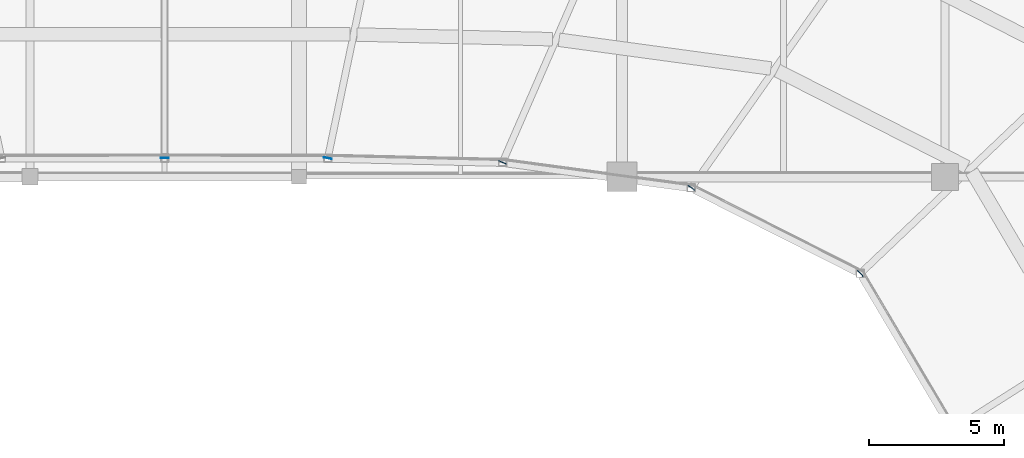
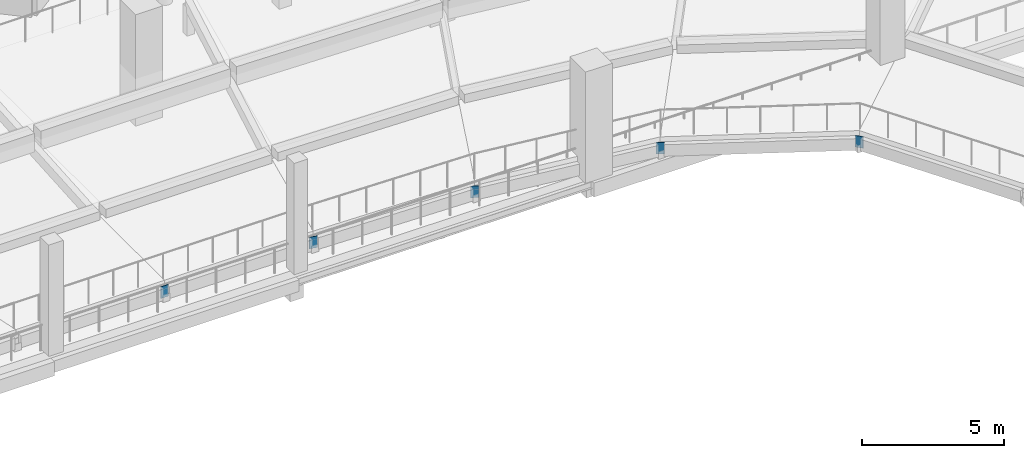
# One storey, part 45 of 77: 5 plates.
"""IFC4 building model written with IfcOpenShell, lengths in metres."""

from ifc_helpers import new_model, si_unit, direction, frame, origin, origin_2d, place, context, subcontext, project, spatial, rectangle, extrude, material, layer, layer_set, type_object, element, save


model = new_model("IFC4")

# Units and contexts
model_context = context("Model", 3, precision=1e-05, world=origin(), true_north=direction((0.0, 1.0)))
body_context = subcontext(model_context, "Body", "Model", "MODEL_VIEW")
ifc_project = project(units=[si_unit("LENGTHUNIT", "METRE"), si_unit("AREAUNIT", "SQUARE_METRE"), si_unit("VOLUMEUNIT", "CUBIC_METRE"), si_unit("PLANEANGLEUNIT", "RADIAN"), si_unit("MASSUNIT", "GRAM", prefix="KILO")], contexts=[model_context])

# Site, building, storey
site_placement = place(None, origin())
site = spatial("IfcSite", under=ifc_project, at=site_placement, CompositionType="ELEMENT")
building_placement = place(site_placement, origin())
building = spatial("IfcBuilding", under=site, at=building_placement, Name="Luwafu Chhajja Arena", CompositionType="ELEMENT")
storey_placement = place(building_placement, frame((0.0, 0.0, 14.699951171875)))
storey = spatial("IfcBuildingStorey", under=building, at=storey_placement, Name="L03", CompositionType="ELEMENT", Elevation=14.699951171875)

# Plates
ifc_material = material(Name="Steel S355", Category="steel")
ifc_layer = layer(ifc_material, 0.02392578125, Name="Steel S355")
ifc_layer_set = layer_set([ifc_layer], Name="Steel S355")
plate_type = type_object("IfcPlateType", Name="Raker Hollow End Closure Plate FN-2", PredefinedType="USERDEFINED", material=ifc_layer_set)
for number, where, z_axis, x_axis, name in (
    (1, (124.85986328125, 73.409912109375, 0.10009765625), (0.0, 0.0, 1.0), (0.724375393874, 0.689405750448, 0.0), "Upper Raker End Cap Plate FN-2 05"),
    (2, (118.57666015625, 76.589111328125, 0.10009765625), (0.0, 0.0, 1.0), (0.574600858154, 0.818433780955, 0.0), "Upper Raker End Cap Plate FN-2 06"),
    (3, (111.560302734375, 77.536865234375, 0.10009765625), (0.0, 0.0, 1.0), (0.399065517637, 0.916922413639, 0.0), "Upper Raker End Cap Plate FN-2 07"),
    (4, (105.065185546875, 77.6923828125, 0.10009765625), (0.0, 0.0, 1.0), (0.204577818989, 0.978850303151, 0.0), "Upper Raker End Cap Plate FN-2 08"),
    (5, (99.0, 77.699951171875, 0.10009765625), (0.0, 0.0, 1.0), (0.0, 1.0, 0.0), "Upper Raker End Cap Plate FN-2 09"),
):
    element("IfcPlate", number, at=place(storey_placement, frame(where, z_axis=z_axis, x_axis=x_axis)), inside=storey, type_object=plate_type, Name=name, ObjectType="GUSSET PLATE", PredefinedType="USERDEFINED", context=body_context, shape_type="SweptSolid", body=[
        extrude(rectangle(XDim=0.02392578125, YDim=0.300048828125, at=origin_2d()), origin(), (0.0, 0.0, 1.0), 0.5),
    ])

save(model, "model.ifc")
